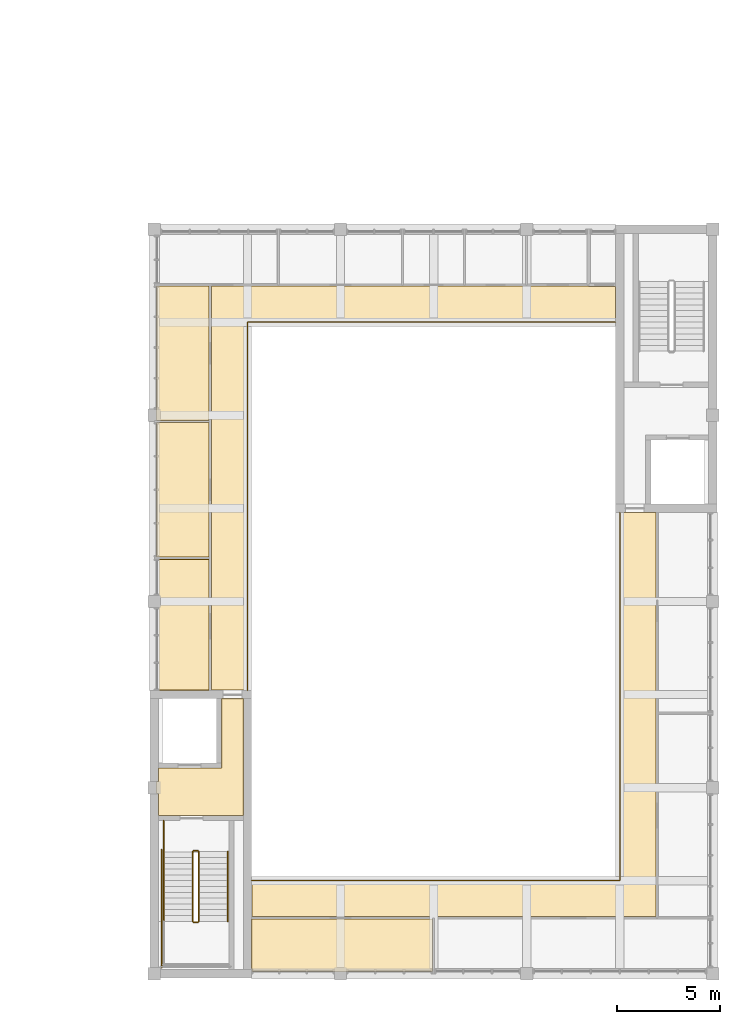
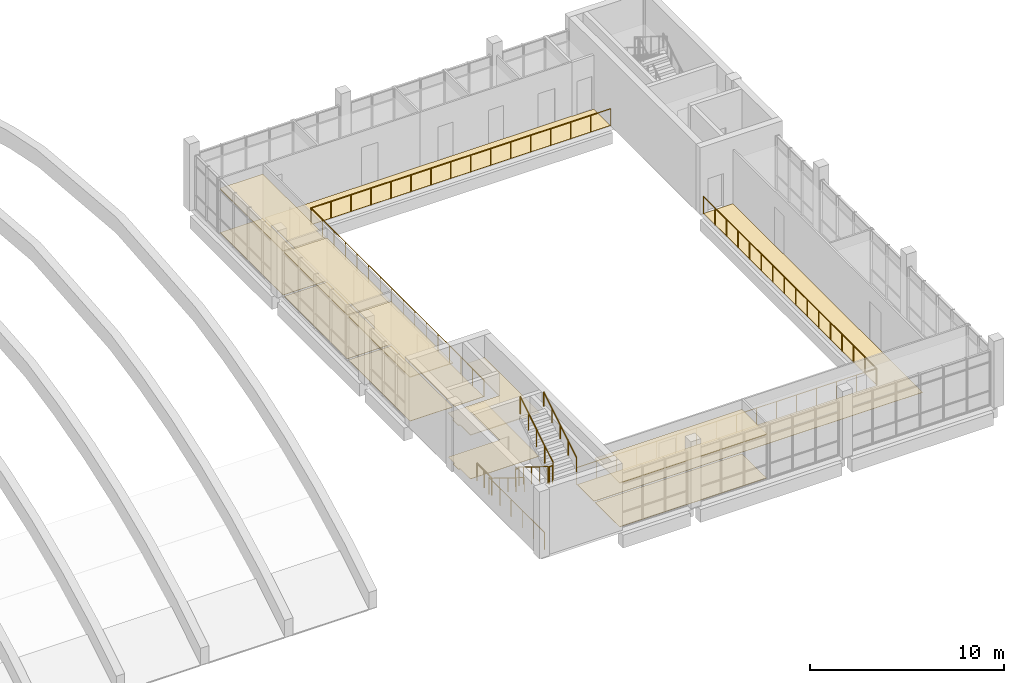
# One storey, part 67 of 88: 12 coverings, 10 railings.
"""IFC4 building model written with IfcOpenShell, lengths in metres."""

from ifc_helpers import new_model, si_unit, direction, frame, origin, origin_2d, place, context, subcontext, project, spatial, polyline, circle, outline, extrude, material, layer, layer_set, type_object, element, save


model = new_model("IFC4")

# Units and contexts
model_context = context("Model", 3, precision=1e-05, world=origin(), true_north=direction((0.0, 1.0)))
body_context = subcontext(model_context, "Body", "Model", "MODEL_VIEW")
ifc_project = project(units=[si_unit("LENGTHUNIT", "METRE"), si_unit("AREAUNIT", "SQUARE_METRE"), si_unit("VOLUMEUNIT", "CUBIC_METRE"), si_unit("PLANEANGLEUNIT", "RADIAN"), si_unit("MASSUNIT", "GRAM", prefix="KILO")], contexts=[model_context])

# Site, building, storey
site_placement = place(None, origin())
site = spatial("IfcSite", under=ifc_project, at=site_placement, CompositionType="ELEMENT")
building_placement = place(site_placement, origin())
building = spatial("IfcBuilding", under=site, at=building_placement, Name="Merrow Basin Faculty of Sciences", CompositionType="ELEMENT")
storey_placement = place(building_placement, frame((0.0, 0.0, 9.0)))
storey = spatial("IfcBuildingStorey", under=building, at=storey_placement, Name="L02", CompositionType="ELEMENT", Elevation=9.0)

# Coverings
ifc_material_1 = material(Name="Carpet tile floor")
ifc_layer_1 = layer(ifc_material_1, 0.02001953125)
ifc_layer_set_1 = layer_set([ifc_layer_1], Name="Carpet tile floor")
covering_type_1 = type_object("IfcCoveringType", Name="Carpet tile floor", PredefinedType="FLOORING", material=ifc_layer_set_1)
covering_1_placement = place(storey_placement, origin())
element("IfcCovering", 1, at=covering_1_placement, inside=storey, type_object=covering_type_1, Name="Floor finish L02-A-007", PredefinedType="FLOORING", context=body_context, shape_type="SweptSolid", body=[
    extrude(outline(polyline([(49.7099609375, 0.110107421875), (49.7099609375, 2.639892578125), (58.43994140625, 2.639892578125), (58.43994140625, 0.110107421875), (49.7099609375, 0.110107421875)])), origin(), (0.0, 0.0, 1.0), 0.02001953125),
])
covering_2_placement = place(storey_placement, origin())
element("IfcCovering", 2, at=covering_2_placement, inside=storey, type_object=covering_type_1, Name="Floor finish L02-A-017", PredefinedType="FLOORING", context=body_context, shape_type="SweptSolid", body=[
    extrude(outline(polyline([(45.110107421875, 20.0400390625), (47.639892578125, 20.0400390625), (47.639892578125, 13.7099609375), (45.110107421875, 13.7099609375), (45.110107421875, 20.0400390625)])), origin(), (0.0, 0.0, 1.0), 0.02001953125),
])
covering_3_placement = place(storey_placement, origin())
element("IfcCovering", 3, at=covering_3_placement, inside=storey, type_object=covering_type_1, Name="Floor finish L02-A-018", PredefinedType="FLOORING", context=body_context, shape_type="SweptSolid", body=[
    extrude(outline(polyline([(47.639892578125, 26.639892578125), (47.639892578125, 20.159912109375), (45.110107421875, 20.159912109375), (45.110107421875, 26.639892578125), (47.639892578125, 26.639892578125)])), origin(), (0.0, 0.0, 1.0), 0.02001953125),
])
covering_4_placement = place(storey_placement, origin())
element("IfcCovering", 4, at=covering_4_placement, inside=storey, type_object=covering_type_1, Name="Floor finish L02-A-019", PredefinedType="FLOORING", context=body_context, shape_type="SweptSolid", body=[
    extrude(outline(polyline([(47.639892578125, 26.760009765625), (45.110107421875, 26.760009765625), (45.110107421875, 33.239990234375), (47.639892578125, 33.239990234375), (47.639892578125, 26.760009765625)])), origin(), (0.0, 0.0, 1.0), 0.02001953125),
])
covering_5_placement = place(storey_placement, origin())
element("IfcCovering", 5, at=covering_5_placement, inside=storey, type_object=covering_type_1, Name="Floor finish L02-A-020", PredefinedType="FLOORING", context=body_context, shape_type="SweptSolid", body=[
    extrude(outline(polyline([(49.489990234375, 31.510009765625), (49.489990234375, 13.7099609375), (47.760009765625, 13.7099609375), (47.760009765625, 33.239990234375), (65.989990234375, 33.239990234375), (65.989990234375, 33.215087890625), (67.2900390625, 33.215087890625), (67.2900390625, 31.510009765625), (49.489990234375, 31.510009765625)])), origin(), (0.0, 0.0, 1.0), 0.02001953125),
])
covering_6_placement = place(storey_placement, origin())
element("IfcCovering", 6, at=covering_6_placement, inside=storey, type_object=covering_type_1, Name="Floor finish L02-A-021", PredefinedType="FLOORING", context=body_context, shape_type="SweptSolid", body=[
    extrude(outline(polyline([(67.510009765625, 4.489990234375), (67.510009765625, 22.2900390625), (69.239990234375, 22.2900390625), (69.239990234375, 2.760009765625), (49.7099609375, 2.760009765625), (49.7099609375, 4.489990234375), (67.510009765625, 4.489990234375)])), origin(), (0.0, 0.0, 1.0), 0.02001953125),
])
ifc_material_2 = material(Name="Polished terrazzo floor")
ifc_layer_2 = layer(ifc_material_2, 0.02001953125)
ifc_layer_set_2 = layer_set([ifc_layer_2], Name="Polished terrazzo floor")
covering_type_2 = type_object("IfcCoveringType", Name="Polished terrazzo floor", PredefinedType="FLOORING", material=ifc_layer_set_2)
covering_7_placement = place(storey_placement, origin())
element("IfcCovering", 7, at=covering_7_placement, inside=storey, type_object=covering_type_2, Name="Floor finish L02-A-003", PredefinedType="FLOORING", context=body_context, shape_type="SweptSolid", body=[
    extrude(outline(polyline([(45.110107421875, 9.2900390625), (45.2099609375, 9.2900390625), (45.2099609375, 9.93994140625), (48.260009765625, 9.93994140625), (48.260009765625, 13.2900390625), (49.2900390625, 13.2900390625), (49.2900390625, 7.659912109375), (45.2099609375, 7.659912109375), (45.2099609375, 8.7099609375), (45.110107421875, 8.7099609375), (45.110107421875, 9.2900390625)])), origin(), (0.0, 0.0, 1.0), 0.02001953125),
])

# Railings
ifc_material_3 = material(Name="Steel ASTM A36", Category="steel")
railing_type_1 = type_object("IfcRailingType", Name="Steel guard 1100", PredefinedType="GUARDRAIL", material=ifc_material_3)
railing_1_placement = place(storey_placement, frame((46.85009765625, 5.89990234375, 0.173095703125)))
element("IfcRailing", 8, at=railing_1_placement, inside=storey, type_object=railing_type_1, Name="L02 ST-V3-W stair guard 1", PredefinedType="GUARDRAIL", context=body_context, shape_type="SweptSolid", body=[
    extrude(circle(Radius=0.02392578125, at=origin_2d()), frame((0.0, 0.0, 1.076171875), z_axis=(0.0, -0.850606129759, 0.525803396734), x_axis=(1.0, 0.0, 0.0)), (0.0, 0.0, 1.0), 3.949951171875),
    extrude(circle(Radius=0.02099609375, at=origin_2d()), origin(), (0.0, 0.0, 1.0), 1.052001953125),
    extrude(circle(Radius=0.02099609375, at=origin_2d()), frame((0.0, -0.83984375, 0.519287109375)), (0.0, 0.0, 1.0), 1.052001953125),
    extrude(circle(Radius=0.02099609375, at=origin_2d()), frame((0.0, -1.679931640625, 1.03857421875)), (0.0, 0.0, 1.0), 1.052001953125),
    extrude(circle(Radius=0.02099609375, at=origin_2d()), frame((0.0, -2.52001953125, 1.5576171875)), (0.0, 0.0, 1.0), 1.052001953125),
    extrude(circle(Radius=0.02099609375, at=origin_2d()), frame((0.0, -3.35986328125, 2.076904296875)), (0.0, 0.0, 1.0), 1.052001953125),
])
railing_2_placement = place(storey_placement, frame((46.89990234375, 2.489990234375, 2.25)))
element("IfcRailing", 9, at=railing_2_placement, inside=storey, type_object=railing_type_1, Name="L02 ST-V3-W stair guard 2", PredefinedType="GUARDRAIL", context=body_context, shape_type="SweptSolid", body=[
    extrude(circle(Radius=0.02392578125, at=origin_2d()), frame((0.0, 0.0, 1.076171875), z_axis=(1.0, 0.0, 0.0), x_axis=(0.0, 1.0, 0.0)), (0.0, 0.0, 1.0), 0.2001953125),
    extrude(circle(Radius=0.02099609375, at=origin_2d()), origin(), (0.0, 0.0, 1.0), 1.052001953125),
    extrude(circle(Radius=0.02099609375, at=origin_2d()), frame((0.2001953125, 0.0, 0.0)), (0.0, 0.0, 1.0), 1.052001953125),
])
railing_3_placement = place(storey_placement, frame((47.14990234375, 2.5400390625, 2.423095703125)))
element("IfcRailing", 10, at=railing_3_placement, inside=storey, type_object=railing_type_1, Name="L02 ST-V3-W stair guard 5", PredefinedType="GUARDRAIL", context=body_context, shape_type="SweptSolid", body=[
    extrude(circle(Radius=0.02392578125, at=origin_2d()), frame((0.0, 0.0, 1.076171875), z_axis=(0.0, 0.850606129759, 0.525803396734), x_axis=(-1.0, 0.0, 0.0)), (0.0, 0.0, 1.0), 3.949951171875),
    extrude(circle(Radius=0.02099609375, at=origin_2d()), origin(), (0.0, 0.0, 1.0), 1.052001953125),
    extrude(circle(Radius=0.02099609375, at=origin_2d()), frame((0.0, 0.83984375, 0.519287109375)), (0.0, 0.0, 1.0), 1.052001953125),
    extrude(circle(Radius=0.02099609375, at=origin_2d()), frame((0.0, 1.679931640625, 1.03857421875)), (0.0, 0.0, 1.0), 1.052001953125),
    extrude(circle(Radius=0.02099609375, at=origin_2d()), frame((0.0, 2.52001953125, 1.5576171875)), (0.0, 0.0, 1.0), 1.052001953125),
    extrude(circle(Radius=0.02099609375, at=origin_2d()), frame((0.0, 3.35986328125, 2.076904296875)), (0.0, 0.0, 1.0), 1.052001953125),
])
railing_4_placement = place(storey_placement, frame((46.89990234375, 5.949951171875, 0.0)))
element("IfcRailing", 11, at=railing_4_placement, inside=storey, type_object=railing_type_1, Name="L02 ST-V3-W stair guard 6", PredefinedType="GUARDRAIL", context=body_context, shape_type="SweptSolid", body=[
    extrude(circle(Radius=0.02392578125, at=origin_2d()), frame((0.0, 0.0, 1.076171875), z_axis=(1.0, 0.0, 0.0), x_axis=(0.0, 1.0, 0.0)), (0.0, 0.0, 1.0), 0.2001953125),
    extrude(circle(Radius=0.02099609375, at=origin_2d()), origin(), (0.0, 0.0, 1.0), 1.052001953125),
    extrude(circle(Radius=0.02099609375, at=origin_2d()), frame((0.2001953125, 0.0, 0.0)), (0.0, 0.0, 1.0), 1.052001953125),
])
railing_5_placement = place(storey_placement, frame((45.449951171875, 7.39990234375, 0.0)))
element("IfcRailing", 12, at=railing_5_placement, inside=storey, type_object=railing_type_1, Name="L02 ST-V3-W stair guard 7", PredefinedType="GUARDRAIL", context=body_context, shape_type="SweptSolid", body=[
    extrude(circle(Radius=0.02392578125, at=origin_2d()), frame((0.0, 0.0, 1.076171875), z_axis=(0.0, -1.0, 0.0), x_axis=(1.0, 0.0, 0.0)), (0.0, 0.0, 1.0), 1.5),
    extrude(circle(Radius=0.02099609375, at=origin_2d()), origin(), (0.0, 0.0, 1.0), 1.052001953125),
    extrude(circle(Radius=0.02099609375, at=origin_2d()), frame((0.0, -0.75, 0.0)), (0.0, 0.0, 1.0), 1.052001953125),
    extrude(circle(Radius=0.02099609375, at=origin_2d()), frame((0.0, -1.5, 0.0)), (0.0, 0.0, 1.0), 1.052001953125),
])
railing_6_placement = place(storey_placement, frame((45.35009765625, 6.0, 0.0)))
element("IfcRailing", 13, at=railing_6_placement, inside=storey, type_object=railing_type_1, Name="L02 ST-V3-W stair guard 8", PredefinedType="GUARDRAIL", context=body_context, shape_type="SweptSolid", body=[
    extrude(circle(Radius=0.02392578125, at=origin_2d()), frame((0.0, 0.0, 1.076171875), z_axis=(0.0, -1.0, 0.0), x_axis=(1.0, 0.0, 0.0)), (0.0, 0.0, 1.0), 5.699951171875),
    extrude(circle(Radius=0.02099609375, at=origin_2d()), origin(), (0.0, 0.0, 1.0), 1.052001953125),
    extrude(circle(Radius=0.02099609375, at=origin_2d()), frame((0.0, -1.139892578125, 0.0)), (0.0, 0.0, 1.0), 1.052001953125),
    extrude(circle(Radius=0.02099609375, at=origin_2d()), frame((0.0, -2.280029296875, 0.0)), (0.0, 0.0, 1.0), 1.052001953125),
    extrude(circle(Radius=0.02099609375, at=origin_2d()), frame((0.0, -3.419921875, 0.0)), (0.0, 0.0, 1.0), 1.052001953125),
    extrude(circle(Radius=0.02099609375, at=origin_2d()), frame((0.0, -4.56005859375, 0.0)), (0.0, 0.0, 1.0), 1.052001953125),
    extrude(circle(Radius=0.02099609375, at=origin_2d()), frame((0.0, -5.699951171875, 0.0)), (0.0, 0.0, 1.0), 1.052001953125),
])
railing_7_placement = place(storey_placement, frame((49.5, 13.699951171875, 0.0)))
element("IfcRailing", 14, at=railing_7_placement, inside=storey, type_object=railing_type_1, Name="Gallery guard L02", PredefinedType="GUARDRAIL", context=body_context, shape_type="SweptSolid", body=[
    extrude(circle(Radius=0.02392578125, at=origin_2d()), frame((0.0, 0.0, 1.076171875), z_axis=(0.0, 1.0, 0.0), x_axis=(-1.0, 0.0, 0.0)), (0.0, 0.0, 1.0), 17.800048828125),
    extrude(circle(Radius=0.02392578125, at=origin_2d()), frame((0.0, 17.800048828125, 1.076171875), z_axis=(1.0, 0.0, 0.0), x_axis=(0.0, 1.0, 0.0)), (0.0, 0.0, 1.0), 17.800048828125),
    extrude(circle(Radius=0.02099609375, at=origin_2d()), origin(), (0.0, 0.0, 1.0), 1.052001953125),
    extrude(circle(Radius=0.02099609375, at=origin_2d()), frame((0.0, 1.186767578125, 0.0)), (0.0, 0.0, 1.0), 1.052001953125),
    extrude(circle(Radius=0.02099609375, at=origin_2d()), frame((0.0, 2.373291015625, 0.0)), (0.0, 0.0, 1.0), 1.052001953125),
    extrude(circle(Radius=0.02099609375, at=origin_2d()), frame((0.0, 3.56005859375, 0.0)), (0.0, 0.0, 1.0), 1.052001953125),
    extrude(circle(Radius=0.02099609375, at=origin_2d()), frame((0.0, 4.74658203125, 0.0)), (0.0, 0.0, 1.0), 1.052001953125),
    extrude(circle(Radius=0.02099609375, at=origin_2d()), frame((0.0, 5.933349609375, 0.0)), (0.0, 0.0, 1.0), 1.052001953125),
    extrude(circle(Radius=0.02099609375, at=origin_2d()), frame((0.0, 7.1201171875, 0.0)), (0.0, 0.0, 1.0), 1.052001953125),
    extrude(circle(Radius=0.02099609375, at=origin_2d()), frame((0.0, 8.306640625, 0.0)), (0.0, 0.0, 1.0), 1.052001953125),
    extrude(circle(Radius=0.02099609375, at=origin_2d()), frame((0.0, 9.493408203125, 0.0)), (0.0, 0.0, 1.0), 1.052001953125),
    extrude(circle(Radius=0.02099609375, at=origin_2d()), frame((0.0, 10.679931640625, 0.0)), (0.0, 0.0, 1.0), 1.052001953125),
    extrude(circle(Radius=0.02099609375, at=origin_2d()), frame((0.0, 11.86669921875, 0.0)), (0.0, 0.0, 1.0), 1.052001953125),
    extrude(circle(Radius=0.02099609375, at=origin_2d()), frame((0.0, 13.053466796875, 0.0)), (0.0, 0.0, 1.0), 1.052001953125),
    extrude(circle(Radius=0.02099609375, at=origin_2d()), frame((0.0, 14.239990234375, 0.0)), (0.0, 0.0, 1.0), 1.052001953125),
    extrude(circle(Radius=0.02099609375, at=origin_2d()), frame((0.0, 15.4267578125, 0.0)), (0.0, 0.0, 1.0), 1.052001953125),
    extrude(circle(Radius=0.02099609375, at=origin_2d()), frame((0.0, 16.61328125, 0.0)), (0.0, 0.0, 1.0), 1.052001953125),
    extrude(circle(Radius=0.02099609375, at=origin_2d()), frame((0.0, 17.800048828125, 0.0)), (0.0, 0.0, 1.0), 1.052001953125),
    extrude(circle(Radius=0.02099609375, at=origin_2d()), frame((1.186767578125, 17.800048828125, 0.0)), (0.0, 0.0, 1.0), 1.052001953125),
    extrude(circle(Radius=0.02099609375, at=origin_2d()), frame((2.373291015625, 17.800048828125, 0.0)), (0.0, 0.0, 1.0), 1.052001953125),
    extrude(circle(Radius=0.02099609375, at=origin_2d()), frame((3.56005859375, 17.800048828125, 0.0)), (0.0, 0.0, 1.0), 1.052001953125),
    extrude(circle(Radius=0.02099609375, at=origin_2d()), frame((4.74658203125, 17.800048828125, 0.0)), (0.0, 0.0, 1.0), 1.052001953125),
    extrude(circle(Radius=0.02099609375, at=origin_2d()), frame((5.933349609375, 17.800048828125, 0.0)), (0.0, 0.0, 1.0), 1.052001953125),
    extrude(circle(Radius=0.02099609375, at=origin_2d()), frame((7.1201171875, 17.800048828125, 0.0)), (0.0, 0.0, 1.0), 1.052001953125),
    extrude(circle(Radius=0.02099609375, at=origin_2d()), frame((8.306640625, 17.800048828125, 0.0)), (0.0, 0.0, 1.0), 1.052001953125),
    extrude(circle(Radius=0.02099609375, at=origin_2d()), frame((9.493408203125, 17.800048828125, 0.0)), (0.0, 0.0, 1.0), 1.052001953125),
    extrude(circle(Radius=0.02099609375, at=origin_2d()), frame((10.679931640625, 17.800048828125, 0.0)), (0.0, 0.0, 1.0), 1.052001953125),
    extrude(circle(Radius=0.02099609375, at=origin_2d()), frame((11.86669921875, 17.800048828125, 0.0)), (0.0, 0.0, 1.0), 1.052001953125),
    extrude(circle(Radius=0.02099609375, at=origin_2d()), frame((13.053466796875, 17.800048828125, 0.0)), (0.0, 0.0, 1.0), 1.052001953125),
    extrude(circle(Radius=0.02099609375, at=origin_2d()), frame((14.239990234375, 17.800048828125, 0.0)), (0.0, 0.0, 1.0), 1.052001953125),
    extrude(circle(Radius=0.02099609375, at=origin_2d()), frame((15.4267578125, 17.800048828125, 0.0)), (0.0, 0.0, 1.0), 1.052001953125),
    extrude(circle(Radius=0.02099609375, at=origin_2d()), frame((16.61328125, 17.800048828125, 0.0)), (0.0, 0.0, 1.0), 1.052001953125),
    extrude(circle(Radius=0.02099609375, at=origin_2d()), frame((17.800048828125, 17.800048828125, 0.0)), (0.0, 0.0, 1.0), 1.052001953125),
])
railing_8_placement = place(storey_placement, frame((67.5, 22.300048828125, 0.0)))
element("IfcRailing", 15, at=railing_8_placement, inside=storey, type_object=railing_type_1, Name="Gallery guard L02", PredefinedType="GUARDRAIL", context=body_context, shape_type="SweptSolid", body=[
    extrude(circle(Radius=0.02392578125, at=origin_2d()), frame((0.0, 0.0, 1.076171875), z_axis=(0.0, -1.0, 0.0), x_axis=(1.0, 0.0, 0.0)), (0.0, 0.0, 1.0), 17.800048828125),
    extrude(circle(Radius=0.02392578125, at=origin_2d()), frame((0.0, -17.800048828125, 1.076171875), z_axis=(-1.0, 0.0, 0.0), x_axis=(0.0, -1.0, 0.0)), (0.0, 0.0, 1.0), 17.800048828125),
    extrude(circle(Radius=0.02099609375, at=origin_2d()), origin(), (0.0, 0.0, 1.0), 1.052001953125),
    extrude(circle(Radius=0.02099609375, at=origin_2d()), frame((0.0, -1.186767578125, 0.0)), (0.0, 0.0, 1.0), 1.052001953125),
    extrude(circle(Radius=0.02099609375, at=origin_2d()), frame((0.0, -2.373291015625, 0.0)), (0.0, 0.0, 1.0), 1.052001953125),
    extrude(circle(Radius=0.02099609375, at=origin_2d()), frame((0.0, -3.56005859375, 0.0)), (0.0, 0.0, 1.0), 1.052001953125),
    extrude(circle(Radius=0.02099609375, at=origin_2d()), frame((0.0, -4.74658203125, 0.0)), (0.0, 0.0, 1.0), 1.052001953125),
    extrude(circle(Radius=0.02099609375, at=origin_2d()), frame((0.0, -5.933349609375, 0.0)), (0.0, 0.0, 1.0), 1.052001953125),
    extrude(circle(Radius=0.02099609375, at=origin_2d()), frame((0.0, -7.1201171875, 0.0)), (0.0, 0.0, 1.0), 1.052001953125),
    extrude(circle(Radius=0.02099609375, at=origin_2d()), frame((0.0, -8.306640625, 0.0)), (0.0, 0.0, 1.0), 1.052001953125),
    extrude(circle(Radius=0.02099609375, at=origin_2d()), frame((0.0, -9.493408203125, 0.0)), (0.0, 0.0, 1.0), 1.052001953125),
    extrude(circle(Radius=0.02099609375, at=origin_2d()), frame((0.0, -10.679931640625, 0.0)), (0.0, 0.0, 1.0), 1.052001953125),
    extrude(circle(Radius=0.02099609375, at=origin_2d()), frame((0.0, -11.86669921875, 0.0)), (0.0, 0.0, 1.0), 1.052001953125),
    extrude(circle(Radius=0.02099609375, at=origin_2d()), frame((0.0, -13.053466796875, 0.0)), (0.0, 0.0, 1.0), 1.052001953125),
    extrude(circle(Radius=0.02099609375, at=origin_2d()), frame((0.0, -14.239990234375, 0.0)), (0.0, 0.0, 1.0), 1.052001953125),
    extrude(circle(Radius=0.02099609375, at=origin_2d()), frame((0.0, -15.4267578125, 0.0)), (0.0, 0.0, 1.0), 1.052001953125),
    extrude(circle(Radius=0.02099609375, at=origin_2d()), frame((0.0, -16.61328125, 0.0)), (0.0, 0.0, 1.0), 1.052001953125),
    extrude(circle(Radius=0.02099609375, at=origin_2d()), frame((0.0, -17.800048828125, 0.0)), (0.0, 0.0, 1.0), 1.052001953125),
    extrude(circle(Radius=0.02099609375, at=origin_2d()), frame((-1.186767578125, -17.800048828125, 0.0)), (0.0, 0.0, 1.0), 1.052001953125),
    extrude(circle(Radius=0.02099609375, at=origin_2d()), frame((-2.373291015625, -17.800048828125, 0.0)), (0.0, 0.0, 1.0), 1.052001953125),
    extrude(circle(Radius=0.02099609375, at=origin_2d()), frame((-3.56005859375, -17.800048828125, 0.0)), (0.0, 0.0, 1.0), 1.052001953125),
    extrude(circle(Radius=0.02099609375, at=origin_2d()), frame((-4.74658203125, -17.800048828125, 0.0)), (0.0, 0.0, 1.0), 1.052001953125),
    extrude(circle(Radius=0.02099609375, at=origin_2d()), frame((-5.933349609375, -17.800048828125, 0.0)), (0.0, 0.0, 1.0), 1.052001953125),
    extrude(circle(Radius=0.02099609375, at=origin_2d()), frame((-7.1201171875, -17.800048828125, 0.0)), (0.0, 0.0, 1.0), 1.052001953125),
    extrude(circle(Radius=0.02099609375, at=origin_2d()), frame((-8.306640625, -17.800048828125, 0.0)), (0.0, 0.0, 1.0), 1.052001953125),
    extrude(circle(Radius=0.02099609375, at=origin_2d()), frame((-9.493408203125, -17.800048828125, 0.0)), (0.0, 0.0, 1.0), 1.052001953125),
    extrude(circle(Radius=0.02099609375, at=origin_2d()), frame((-10.679931640625, -17.800048828125, 0.0)), (0.0, 0.0, 1.0), 1.052001953125),
    extrude(circle(Radius=0.02099609375, at=origin_2d()), frame((-11.86669921875, -17.800048828125, 0.0)), (0.0, 0.0, 1.0), 1.052001953125),
    extrude(circle(Radius=0.02099609375, at=origin_2d()), frame((-13.053466796875, -17.800048828125, 0.0)), (0.0, 0.0, 1.0), 1.052001953125),
    extrude(circle(Radius=0.02099609375, at=origin_2d()), frame((-14.239990234375, -17.800048828125, 0.0)), (0.0, 0.0, 1.0), 1.052001953125),
    extrude(circle(Radius=0.02099609375, at=origin_2d()), frame((-15.4267578125, -17.800048828125, 0.0)), (0.0, 0.0, 1.0), 1.052001953125),
    extrude(circle(Radius=0.02099609375, at=origin_2d()), frame((-16.61328125, -17.800048828125, 0.0)), (0.0, 0.0, 1.0), 1.052001953125),
    extrude(circle(Radius=0.02099609375, at=origin_2d()), frame((-17.800048828125, -17.800048828125, 0.0)), (0.0, 0.0, 1.0), 1.052001953125),
])
ifc_material_4 = material(Name="Steel ASTM A36", Category="steel")
railing_type_2 = type_object("IfcRailingType", Name="Steel handrail 900", PredefinedType="HANDRAIL", material=ifc_material_4)
railing_9_placement = place(storey_placement, frame((45.449951171875, 5.89990234375, 0.173095703125)))
element("IfcRailing", 16, at=railing_9_placement, inside=storey, type_object=railing_type_2, Name="L02 ST-V3-W stair handrail 1", PredefinedType="HANDRAIL", context=body_context, shape_type="SweptSolid", body=[
    extrude(circle(Radius=0.02392578125, at=origin_2d()), frame((0.0, 0.0, 0.8759765625), z_axis=(0.0, -0.850606129759, 0.525803396734), x_axis=(1.0, 0.0, 0.0)), (0.0, 0.0, 1.0), 3.949951171875),
    extrude(circle(Radius=0.02099609375, at=origin_2d()), origin(), (0.0, 0.0, 1.0), 0.851806640625),
    extrude(circle(Radius=0.02099609375, at=origin_2d()), frame((0.0, -0.83984375, 0.519287109375)), (0.0, 0.0, 1.0), 0.851806640625),
    extrude(circle(Radius=0.02099609375, at=origin_2d()), frame((0.0, -1.679931640625, 1.03857421875)), (0.0, 0.0, 1.0), 0.851806640625),
    extrude(circle(Radius=0.02099609375, at=origin_2d()), frame((0.0, -2.52001953125, 1.5576171875)), (0.0, 0.0, 1.0), 0.851806640625),
    extrude(circle(Radius=0.02099609375, at=origin_2d()), frame((0.0, -3.35986328125, 2.076904296875)), (0.0, 0.0, 1.0), 0.851806640625),
])
railing_10_placement = place(storey_placement, frame((48.550048828125, 2.5400390625, 2.423095703125)))
element("IfcRailing", 17, at=railing_10_placement, inside=storey, type_object=railing_type_2, Name="L02 ST-V3-W stair handrail 2", PredefinedType="HANDRAIL", context=body_context, shape_type="SweptSolid", body=[
    extrude(circle(Radius=0.02392578125, at=origin_2d()), frame((0.0, 0.0, 0.8759765625), z_axis=(0.0, 0.850606129759, 0.525803396734), x_axis=(-1.0, 0.0, 0.0)), (0.0, 0.0, 1.0), 3.949951171875),
    extrude(circle(Radius=0.02099609375, at=origin_2d()), origin(), (0.0, 0.0, 1.0), 0.851806640625),
    extrude(circle(Radius=0.02099609375, at=origin_2d()), frame((0.0, 0.83984375, 0.519287109375)), (0.0, 0.0, 1.0), 0.851806640625),
    extrude(circle(Radius=0.02099609375, at=origin_2d()), frame((0.0, 1.679931640625, 1.03857421875)), (0.0, 0.0, 1.0), 0.851806640625),
    extrude(circle(Radius=0.02099609375, at=origin_2d()), frame((0.0, 2.52001953125, 1.5576171875)), (0.0, 0.0, 1.0), 0.851806640625),
    extrude(circle(Radius=0.02099609375, at=origin_2d()), frame((0.0, 3.35986328125, 2.076904296875)), (0.0, 0.0, 1.0), 0.851806640625),
])

# Coverings
ifc_material_5 = material(Name="Mineral fibre ceiling tile")
ifc_layer_3 = layer(ifc_material_5, 0.050048828125)
ifc_layer_set_3 = layer_set([ifc_layer_3], Name="Suspended acoustic ceiling tile")
covering_type_3 = type_object("IfcCoveringType", Name="Suspended acoustic ceiling tile", PredefinedType="CEILING", material=ifc_layer_set_3)
covering_8_placement = place(storey_placement, frame((0.0, 0.0, 2.75)))
element("IfcCovering", 18, at=covering_8_placement, inside=storey, type_object=covering_type_3, Name="Ceiling L02-A-003", PredefinedType="CEILING", context=body_context, shape_type="SweptSolid", body=[
    extrude(outline(polyline([(45.10009765625, 9.300048828125), (45.199951171875, 9.300048828125), (45.199951171875, 9.949951171875), (48.25, 9.949951171875), (48.25, 13.300048828125), (49.300048828125, 13.300048828125), (49.300048828125, 7.64990234375), (45.199951171875, 7.64990234375), (45.199951171875, 8.699951171875), (45.10009765625, 8.699951171875), (45.10009765625, 9.300048828125)])), origin(), (0.0, 0.0, 1.0), 0.050048828125),
])
covering_9_placement = place(storey_placement, frame((0.0, 0.0, 2.75)))
element("IfcCovering", 19, at=covering_9_placement, inside=storey, type_object=covering_type_3, Name="Ceiling L02-A-007", PredefinedType="CEILING", context=body_context, shape_type="SweptSolid", body=[
    extrude(outline(polyline([(49.699951171875, 0.10009765625), (49.699951171875, 2.64990234375), (58.449951171875, 2.64990234375), (58.449951171875, 0.10009765625), (49.699951171875, 0.10009765625)])), origin(), (0.0, 0.0, 1.0), 0.050048828125),
])
covering_10_placement = place(storey_placement, frame((0.0, 0.0, 2.75)))
element("IfcCovering", 20, at=covering_10_placement, inside=storey, type_object=covering_type_3, Name="Ceiling L02-A-017", PredefinedType="CEILING", context=body_context, shape_type="SweptSolid", body=[
    extrude(outline(polyline([(45.10009765625, 20.050048828125), (47.64990234375, 20.050048828125), (47.64990234375, 13.699951171875), (45.10009765625, 13.699951171875), (45.10009765625, 20.050048828125)])), origin(), (0.0, 0.0, 1.0), 0.050048828125),
])
covering_11_placement = place(storey_placement, frame((0.0, 0.0, 2.75)))
element("IfcCovering", 21, at=covering_11_placement, inside=storey, type_object=covering_type_3, Name="Ceiling L02-A-018", PredefinedType="CEILING", context=body_context, shape_type="SweptSolid", body=[
    extrude(outline(polyline([(47.64990234375, 26.64990234375), (47.64990234375, 20.14990234375), (45.10009765625, 20.14990234375), (45.10009765625, 26.64990234375), (47.64990234375, 26.64990234375)])), origin(), (0.0, 0.0, 1.0), 0.050048828125),
])
covering_12_placement = place(storey_placement, frame((0.0, 0.0, 2.75)))
element("IfcCovering", 22, at=covering_12_placement, inside=storey, type_object=covering_type_3, Name="Ceiling L02-A-019", PredefinedType="CEILING", context=body_context, shape_type="SweptSolid", body=[
    extrude(outline(polyline([(47.64990234375, 26.75), (45.10009765625, 26.75), (45.10009765625, 33.25), (47.64990234375, 33.25), (47.64990234375, 26.75)])), origin(), (0.0, 0.0, 1.0), 0.050048828125),
])

save(model, "model.ifc")
